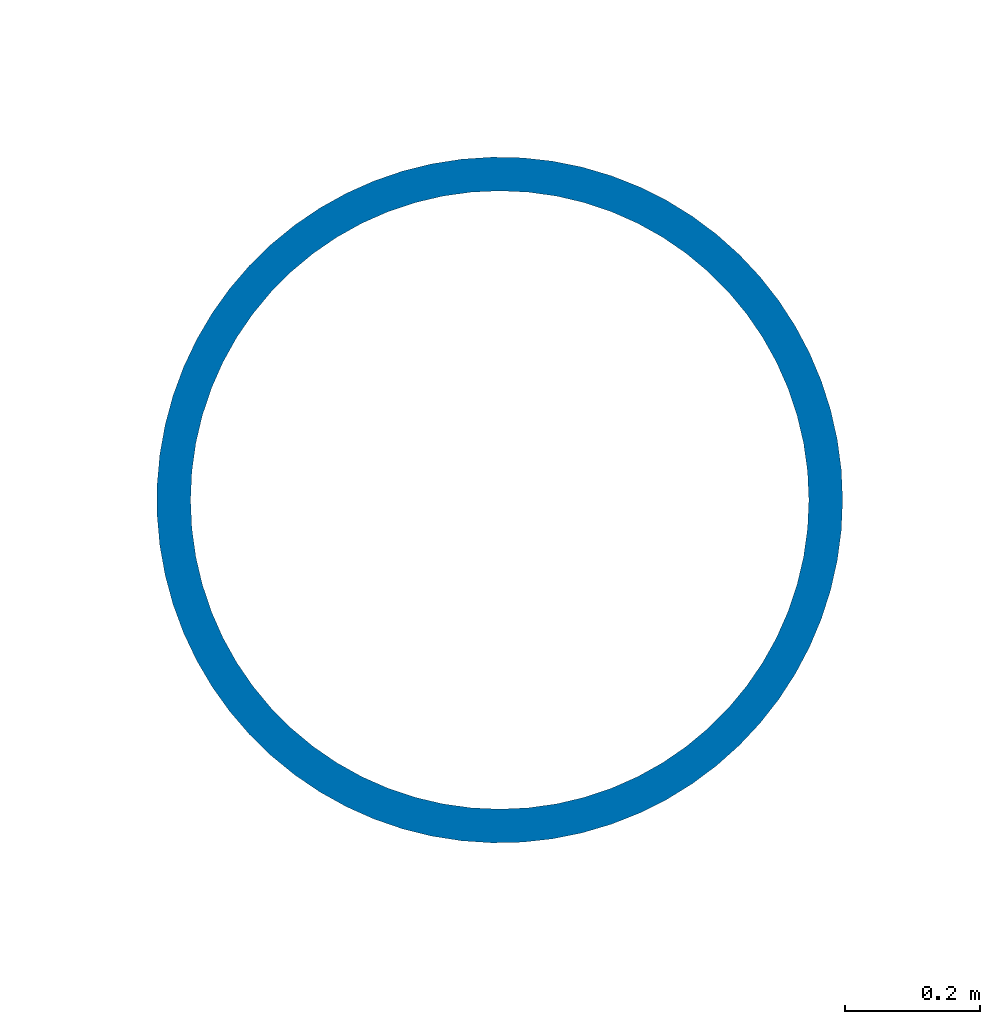
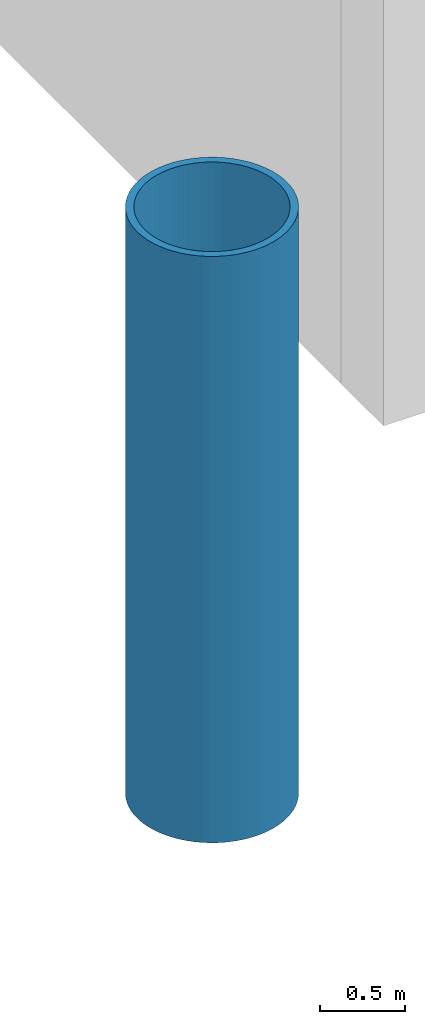
# One storey, part 3 of 51: 1 column.
"""IFC4 building model written with IfcOpenShell, lengths in metres."""

from ifc_helpers import new_model, si_unit, direction, frame, origin, origin_2d, place, context, subcontext, project, spatial, hollow_circle, extrude, material, material_profile, profile_set, type_object, element, save


model = new_model("IFC4")

# Units and contexts
model_context = context("Model", 3, precision=1e-05, world=origin(), true_north=direction((0.0, 1.0)))
body_context = subcontext(model_context, "Body", "Model", "MODEL_VIEW")
ifc_project = project(units=[si_unit("LENGTHUNIT", "METRE"), si_unit("AREAUNIT", "SQUARE_METRE"), si_unit("VOLUMEUNIT", "CUBIC_METRE"), si_unit("PLANEANGLEUNIT", "RADIAN"), si_unit("MASSUNIT", "GRAM", prefix="KILO")], contexts=[model_context])

# Site, building, storey
site_placement = place(None, origin())
site = spatial("IfcSite", under=ifc_project, at=site_placement, CompositionType="ELEMENT")
building_placement = place(site_placement, origin())
building = spatial("IfcBuilding", under=site, at=building_placement, Name="Cresset Court Congress Hotel", CompositionType="ELEMENT")
storey_placement = place(building_placement, frame((0.0, 0.0, 18.60009765625)))
storey = spatial("IfcBuildingStorey", under=building, at=storey_placement, Name="L04", CompositionType="ELEMENT", Elevation=18.60009765625)

# Column
ifc_material = material(Name="Structural steel Q355B", Category="steel")
ifc_material_profile = material_profile(ifc_material, hollow_circle(Radius=0.508056640625, WallThickness=0.050048828125, at=origin_2d()), Name="CHS1016x50")
ifc_profile_set = profile_set([ifc_material_profile], Name="Structural steel Q355B")
column_type = type_object("IfcColumnType", Name="Mast tube 1016x50", PredefinedType="COLUMN", material=ifc_profile_set)
column_placement = place(storey_placement, frame((55.800048828125, 55.800048828125, 0.0), z_axis=(0.0, 0.0, 1.0), x_axis=(1.0, 0.0, 0.0)))
element("IfcColumn", 1, at=column_placement, inside=storey, type_object=column_type, Name="Mast M1", PredefinedType="COLUMN", context=body_context, shape_type="SweptSolid", body=[
    extrude(hollow_circle(Radius=0.508056640625, WallThickness=0.050048828125, at=origin_2d()), origin(), (0.0, 0.0, 1.0), 4.199951171875),
])

save(model, "model.ifc")
